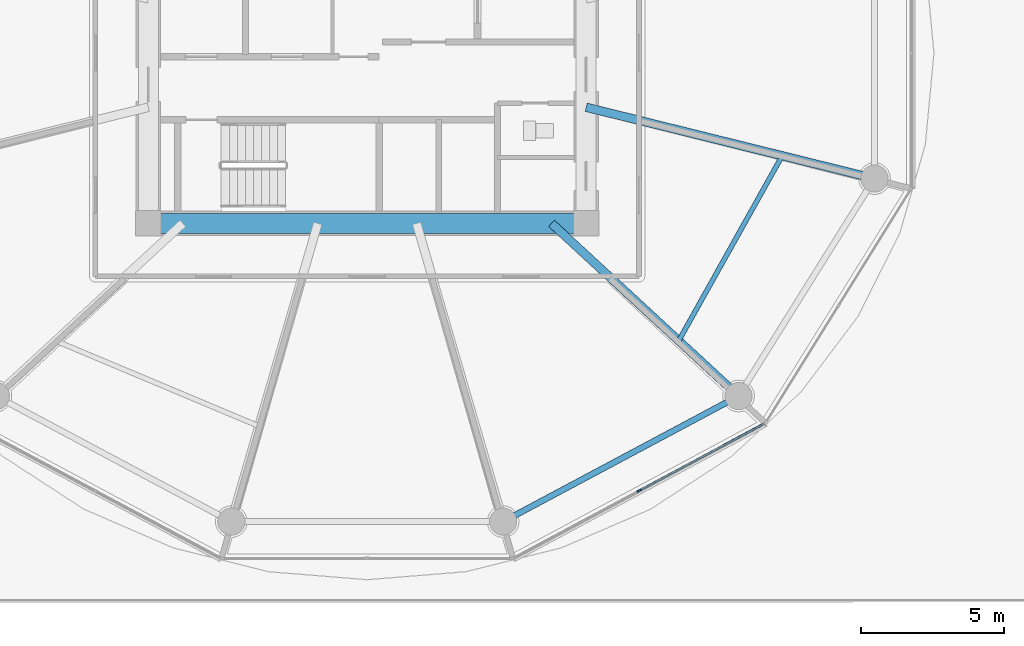
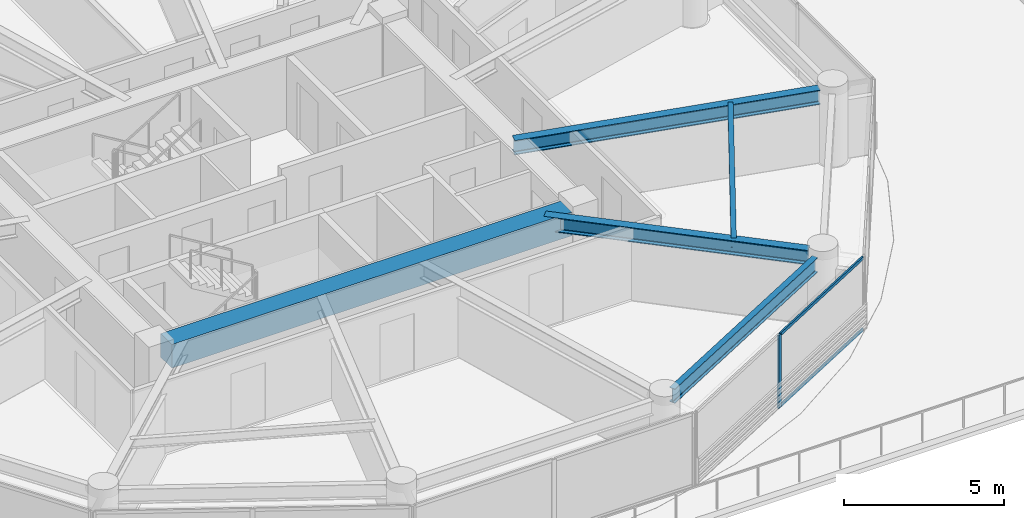
# One storey, part 3 of 32: 5 beams, 3 members, 1 element without a shape of its own.
"""IFC4 building model written with IfcOpenShell, lengths in metres."""

from ifc_helpers import new_model, si_unit, direction, frame, origin, origin_2d, place, context, subcontext, project, spatial, rectangle, i_section, extrude, source, transform, mapped, material, layer, layer_set, material_profile, profile_set, type_object, type_shapes, element, aggregate, save


model = new_model("IFC4")

# Units and contexts
model_context = context("Model", 3, precision=1e-05, world=origin(), true_north=direction((0.0, 1.0)))
body_context = subcontext(model_context, "Body", "Model", "MODEL_VIEW")
ifc_project = project(units=[si_unit("LENGTHUNIT", "METRE"), si_unit("AREAUNIT", "SQUARE_METRE"), si_unit("VOLUMEUNIT", "CUBIC_METRE"), si_unit("PLANEANGLEUNIT", "RADIAN"), si_unit("MASSUNIT", "GRAM", prefix="KILO")], contexts=[model_context])

# Site, building, storey
site_placement = place(None, origin())
site = spatial("IfcSite", under=ifc_project, at=site_placement, CompositionType="ELEMENT")
building_placement = place(site_placement, origin())
building = spatial("IfcBuilding", under=site, at=building_placement, Name="Norrkilde Senior Care Towers", CompositionType="ELEMENT")
storey_placement = place(building_placement, frame((0.0, 0.0, 21.60009765625)))
storey = spatial("IfcBuildingStorey", under=building, at=storey_placement, Name="L05", CompositionType="ELEMENT", Elevation=21.60009765625)

# Beams
ifc_material_1 = material(Name="Concrete C60/75", Category="concrete")
ifc_material_profile_1 = material_profile(ifc_material_1, rectangle(XDim=0.699951171875, YDim=0.89990234375, at=origin_2d()), Name="RC BM 700x900")
ifc_profile_set_1 = profile_set([ifc_material_profile_1], Name="Concrete C60/75")
beam_type_1 = type_object("IfcBeamType", Name="Core Coupling Girder 700x900", PredefinedType="USERDEFINED", material=ifc_profile_set_1)
shared_shape_1 = source(origin(), body_context, "Body", "SweptSolid", [
    extrude(rectangle(XDim=0.699951171875, YDim=0.89990234375, at=origin_2d()), origin(), (0.0, 0.0, 1.0), 14.43994140625),
])
type_shapes(beam_type_1, [shared_shape_1])
beam_1_placement = place(storey_placement, frame((-35.219970703125, -5.949951171875, 2.33984375), z_axis=(1.0, 0.0, 0.0), x_axis=(0.0, 1.0, 0.0)))
element("IfcBeam", 1, at=beam_1_placement, inside=storey, type_object=beam_type_1, Name="L05 Core W S Coupling Girder", ObjectType="GIRDER", PredefinedType="USERDEFINED", context=body_context, shape_type="MappedRepresentation", body=[
    mapped(shared_shape_1, transform((0.0, 0.0, 0.0), x_axis=(1.0, 0.0, 0.0), y_axis=(0.0, 1.0, 0.0), z_axis=(0.0, 0.0, 1.0), scale=1.0)),
])
ifc_material_2 = material(Name="Steel S355", Category="steel")
ifc_material_profile_2 = material_profile(ifc_material_2, i_section(OverallWidth=0.300048828125, OverallDepth=0.550048828125, WebThickness=0.014892578125, FlangeThickness=0.029052734375, FilletRadius=0.027099609375, at=origin_2d()), Name="HEB 550")
ifc_profile_set_2 = profile_set([ifc_material_profile_2], Name="Steel S355")
beam_type_2 = type_object("IfcBeamType", Name="Radial Floor Beam Z1 HEB550", PredefinedType="BEAM", material=ifc_profile_set_2)
shared_shape_2 = source(origin(), body_context, "Body", "SweptSolid", [
    extrude(i_section(OverallWidth=0.300048828125, OverallDepth=0.550048828125, WebThickness=0.014892578125, FlangeThickness=0.029052734375, FilletRadius=0.027099609375, at=origin_2d()), origin(), (0.0, 0.0, 1.0), 9.94384765625),
])
beam_2_placement = place(storey_placement, frame((-20.35009765625, -1.893310546875, 2.514892578125), z_axis=(0.970707425182, -0.240264634718, 0.0), x_axis=(0.240264634718, 0.970707425182, 0.0)))
element("IfcBeam", 2, at=beam_2_placement, inside=storey, type_object=beam_type_2, Name="L05 Drum W Radial Floor Beam 12", PredefinedType="BEAM", context=body_context, shape_type="MappedRepresentation", body=[
    mapped(shared_shape_2, transform((0.0, 0.0, 0.0), x_axis=(1.0, 0.0, 0.0), y_axis=(0.0, 1.0, 0.0), z_axis=(0.0, 0.0, 1.0), scale=1.0)),
])
ifc_material_profile_3 = material_profile(ifc_material_2, i_section(OverallWidth=0.2099609375, OverallDepth=0.550048828125, WebThickness=0.010986328125, FlangeThickness=0.01708984375, FilletRadius=0.02392578125, at=origin_2d()), Name="IPE 550")
ifc_profile_set_3 = profile_set([ifc_material_profile_3], Name="Steel S355")
beam_type_3 = type_object("IfcBeamType", Name="Perimeter Ring Spandrel Z1 IPE550", PredefinedType="SPANDREL", material=ifc_profile_set_3)
shared_shape_3 = source(origin(), body_context, "Body", "SweptSolid", [
    extrude(i_section(OverallWidth=0.2099609375, OverallDepth=0.550048828125, WebThickness=0.010986328125, FlangeThickness=0.01708984375, FilletRadius=0.02392578125, at=origin_2d()), origin(), (0.0, 0.0, 1.0), 8.452880859375),
])
type_shapes(beam_type_3, [shared_shape_3])
beam_3_placement = place(storey_placement, frame((-22.866943359375, -16.167724609375, 2.514892578125), z_axis=(0.882368931134, 0.470558252898, 0.0), x_axis=(-0.470558252898, 0.882368931134, 0.0)))
element("IfcBeam", 3, at=beam_3_placement, inside=storey, type_object=beam_type_3, Name="L05 Drum W Perimeter Spandrel 10", PredefinedType="SPANDREL", context=body_context, shape_type="MappedRepresentation", body=[
    mapped(shared_shape_3, transform((0.0, 0.0, 0.0), x_axis=(1.0, 0.0, 0.0), y_axis=(0.0, 1.0, 0.0), z_axis=(0.0, 0.0, 1.0), scale=1.0)),
])
shared_shape_4 = source(origin(), body_context, "Body", "SweptSolid", [
    extrude(i_section(OverallWidth=0.300048828125, OverallDepth=0.550048828125, WebThickness=0.014892578125, FlangeThickness=0.029052734375, FilletRadius=0.027099609375, at=origin_2d()), origin(), (0.0, 0.0, 1.0), 8.459716796875),
])
type_shapes(beam_type_2, [shared_shape_2, shared_shape_4])
beam_4_placement = place(storey_placement, frame((-21.55859375, -5.949951171875, 2.514892578125), z_axis=(0.734573269108, -0.678529374686, 0.0), x_axis=(0.678529374686, 0.734573269108, 0.0)))
element("IfcBeam", 4, at=beam_4_placement, inside=storey, type_object=beam_type_2, Name="L05 Drum W Radial Floor Beam 11", PredefinedType="BEAM", context=body_context, shape_type="MappedRepresentation", body=[
    mapped(shared_shape_4, transform((0.0, 0.0, 0.0), x_axis=(1.0, 0.0, 0.0), y_axis=(0.0, 1.0, 0.0), z_axis=(0.0, 0.0, 1.0), scale=1.0)),
])
ifc_material_profile_4 = material_profile(ifc_material_2, i_section(OverallWidth=0.169921875, OverallDepth=0.360107421875, WebThickness=0.008056640625, FlangeThickness=0.0126953125, FilletRadius=0.01806640625, at=origin_2d()), Name="IPE 360")
ifc_profile_set_4 = profile_set([ifc_material_profile_4], Name="Steel S355")
beam_type_4 = type_object("IfcBeamType", Name="Secondary Floor Joist IPE360", PredefinedType="JOIST", material=ifc_profile_set_4)
shared_shape_5 = source(origin(), body_context, "Body", "SweptSolid", [
    extrude(i_section(OverallWidth=0.169921875, OverallDepth=0.360107421875, WebThickness=0.008056640625, FlangeThickness=0.0126953125, FilletRadius=0.01806640625, at=origin_2d()), origin(), (0.0, 0.0, 1.0), 7.40771484375),
])
type_shapes(beam_type_4, [shared_shape_5])
beam_5_placement = place(storey_placement, frame((-17.115478515625, -10.05419921875, 2.60986328125), z_axis=(0.488167754092, 0.872749817453, 0.0), x_axis=(-0.872749817453, 0.488167754092, 0.0)))
element("IfcBeam", 5, at=beam_5_placement, inside=storey, type_object=beam_type_4, Name="L05 Drum W Secondary Floor Joist 4", PredefinedType="JOIST", context=body_context, shape_type="MappedRepresentation", body=[
    mapped(shared_shape_5, transform((0.0, 0.0, 0.0), x_axis=(1.0, 0.0, 0.0), y_axis=(0.0, 1.0, 0.0), z_axis=(0.0, 0.0, 1.0), scale=1.0)),
])

# Curtain wall, members
ifc_material_3 = material(Name="Triple Low-E Insulated Glazing", Category="glass")
ifc_layer = layer(ifc_material_3, 0.199951171875)
ifc_layer_set = layer_set([ifc_layer], Name="Triple Low-E Insulated Glazing")
curtain_wall_type = type_object("IfcCurtainWallType", Name="CW2 Zone 1 Memory Care Curtain Wall", PredefinedType="NOTDEFINED", material=ifc_layer_set)
curtain_wall_placement = place(storey_placement, origin())
curtain_wall = element("IfcCurtainWall", 6, at=curtain_wall_placement, inside=storey, type_object=curtain_wall_type, Name="L05 Drum W Curtain Wall 09", PredefinedType="NOTDEFINED")
ifc_material_4 = material(Name="Anodised Aluminium", Category="aluminium")
ifc_material_profile_5 = material_profile(ifc_material_4, rectangle(XDim=0.06494140625, YDim=0.159912109375, at=origin_2d()), Name="ALU MULL 65x160")
ifc_profile_set_5 = profile_set([ifc_material_profile_5], Name="Anodised Aluminium")
member_type_1 = type_object("IfcMemberType", Name="Curtain Wall Mullion Z1-Z2 65x160", PredefinedType="MULLION", material=ifc_profile_set_5)
shared_shape_6 = source(origin(), body_context, "Body", "SweptSolid", [
    extrude(rectangle(XDim=0.06494140625, YDim=0.159912109375, at=origin_2d()), origin(), (0.0, 0.0, 1.0), 2.789794921875),
])
type_shapes(member_type_1, [shared_shape_6])
member_1_placement = place(storey_placement, frame((-18.495361328125, -15.29150390625, 0.0), z_axis=(0.0, 0.0, 1.0), x_axis=(0.472607802456, -0.881272866403, 0.0)))
member_1 = element("IfcMember", 7, at=member_1_placement, type_object=member_type_1, Name="CW-2 mullion 2", PredefinedType="MULLION", context=body_context, shape_type="MappedRepresentation", body=[
    mapped(shared_shape_6, transform((0.0, 0.0, 0.0), x_axis=(1.0, 0.0, 0.0), y_axis=(0.0, 1.0, 0.0), z_axis=(0.0, 0.0, 1.0), scale=1.0)),
])
ifc_material_profile_6 = material_profile(ifc_material_4, rectangle(XDim=0.06005859375, YDim=0.1201171875, at=origin_2d()), Name="ALU TRAN 60x120")
ifc_profile_set_6 = profile_set([ifc_material_profile_6], Name="Anodised Aluminium")
member_type_2 = type_object("IfcMemberType", Name="Curtain Wall Transom Typical 60x120", PredefinedType="USERDEFINED", material=ifc_profile_set_6)
shared_shape_7 = source(origin(), body_context, "Body", "SweptSolid", [
    extrude(rectangle(XDim=0.06005859375, YDim=0.1201171875, at=origin_2d()), origin(), (0.0, 0.0, 1.0), 4.907958984375),
])
type_shapes(member_type_2, [shared_shape_7])
member_2_placement = place(storey_placement, frame((-14.141357421875, -12.95654296875, 0.02978515625), z_axis=(-0.881266902561, -0.472618923077, 0.0), x_axis=(0.472618923077, -0.881266902561, 0.0)))
member_2 = element("IfcMember", 8, at=member_2_placement, type_object=member_type_2, Name="CW-2 transom 1.1", ObjectType="TRANSOM", PredefinedType="USERDEFINED", context=body_context, shape_type="MappedRepresentation", body=[
    mapped(shared_shape_7, transform((0.0, 0.0, 0.0), x_axis=(1.0, 0.0, 0.0), y_axis=(0.0, 1.0, 0.0), z_axis=(0.0, 0.0, 1.0), scale=1.0)),
])
member_3_placement = place(storey_placement, frame((-14.141357421875, -12.95654296875, 2.760009765625), z_axis=(-0.881266902561, -0.472618923077, 0.0), x_axis=(0.472618923077, -0.881266902561, 0.0)))
member_3 = element("IfcMember", 9, at=member_3_placement, type_object=member_type_2, Name="CW-2 transom 1.2", ObjectType="TRANSOM", PredefinedType="USERDEFINED", context=body_context, shape_type="MappedRepresentation", body=[
    mapped(shared_shape_7, transform((0.0, 0.0, 0.0), x_axis=(1.0, 0.0, 0.0), y_axis=(0.0, 1.0, 0.0), z_axis=(0.0, 0.0, 1.0), scale=1.0)),
])
aggregate(curtain_wall, [member_1, member_2, member_3])

save(model, "model.ifc")
